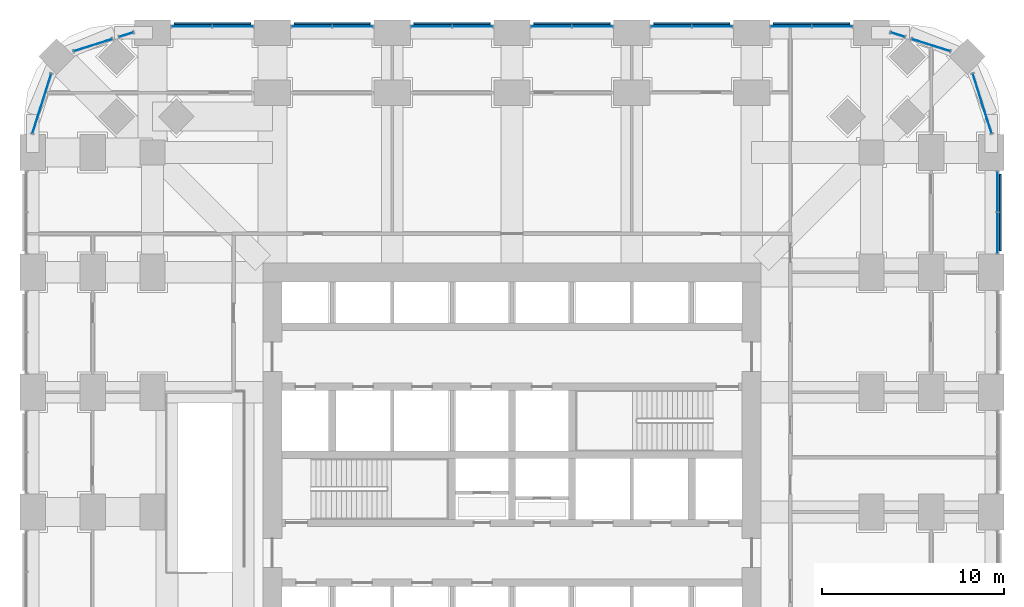
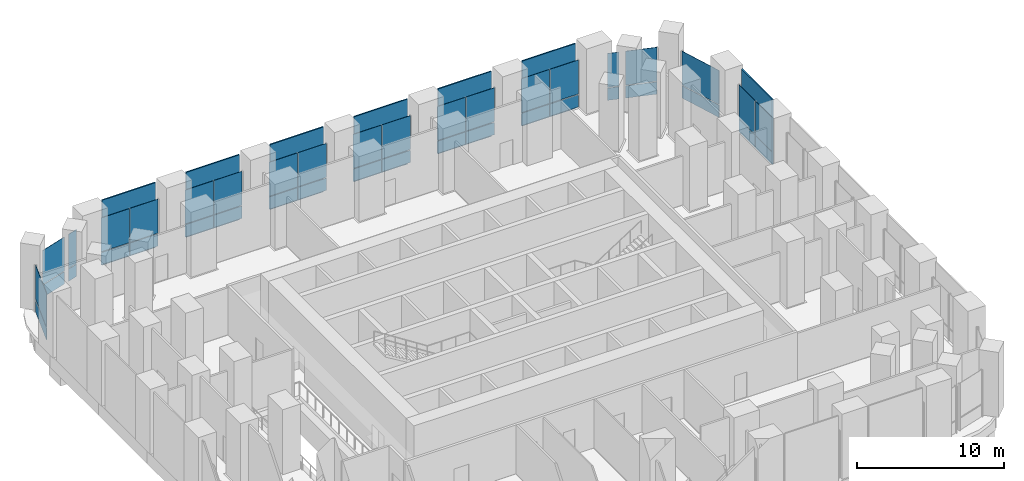
# One storey, part 10 of 17: 47 plates, 13 elements without a shape of their own.
"""IFC4 building model written with IfcOpenShell, lengths in metres."""

from ifc_helpers import new_model, si_unit, direction, frame, origin, origin_2d, place, context, subcontext, project, spatial, rectangle, extrude, material, layer, layer_set, type_object, element, aggregate, save


model = new_model("IFC4")

# Units and contexts
model_context = context("Model", 3, precision=1e-05, world=origin(), true_north=direction((0.0, 1.0)))
body_context = subcontext(model_context, "Body", "Model", "MODEL_VIEW")
ifc_project = project(units=[si_unit("LENGTHUNIT", "METRE"), si_unit("AREAUNIT", "SQUARE_METRE"), si_unit("VOLUMEUNIT", "CUBIC_METRE"), si_unit("PLANEANGLEUNIT", "RADIAN"), si_unit("MASSUNIT", "GRAM", prefix="KILO")], contexts=[model_context])

# Site, building, storey
site_placement = place(None, origin())
site = spatial("IfcSite", under=ifc_project, at=site_placement, CompositionType="ELEMENT")
building_placement = place(site_placement, origin())
building = spatial("IfcBuilding", under=site, at=building_placement, Name="Cobogo Forest Laboratory Tower", CompositionType="ELEMENT")
storey_placement = place(building_placement, frame((0.0, 0.0, 7.199951171875)))
storey = spatial("IfcBuildingStorey", under=building, at=storey_placement, Name="L01", CompositionType="ELEMENT", Elevation=7.199951171875)

# Plates
ifc_material_1 = material(Name="Pierced concrete block", Category="concrete")
ifc_layer_1 = layer(ifc_material_1, 0.10009765625)
ifc_layer_set_1 = layer_set([ifc_layer_1], Name="CO1 cobogo block screen 100")
plate_type_1 = type_object("IfcPlateType", Name="CO1 cobogo block screen 100", PredefinedType="USERDEFINED", material=ifc_layer_set_1)
for number, where, z_axis, x_axis, name in (
    (1, (53.300048828125, 36.300048828125, -0.14990234375), (0.0, 0.0, 1.0), (0.0, 1.0, 0.0), "Cobogo screen E5 L01"),
    (2, (9.89990234375, 46.699951171875, -0.14990234375), (0.0, 0.0, 1.0), (1.0, 0.0, 0.0), "Cobogo screen N1 L01"),
    (3, (16.5, 46.699951171875, -0.14990234375), (0.0, 0.0, 1.0), (1.0, 0.0, 0.0), "Cobogo screen N2 L01"),
    (4, (23.10009765625, 46.699951171875, -0.14990234375), (0.0, 0.0, 1.0), (1.0, 0.0, 0.0), "Cobogo screen N3 L01"),
    (5, (29.699951171875, 46.699951171875, -0.14990234375), (0.0, 0.0, 1.0), (1.0, 0.0, 0.0), "Cobogo screen N4 L01"),
    (6, (36.300048828125, 46.699951171875, -0.14990234375), (0.0, 0.0, 1.0), (1.0, 0.0, 0.0), "Cobogo screen N5 L01"),
    (7, (42.89990234375, 46.699951171875, -0.14990234375), (0.0, 0.0, 1.0), (1.0, 0.0, 0.0), "Cobogo screen N6 L01"),
):
    element("IfcPlate", number, at=place(storey_placement, frame(where, z_axis=z_axis, x_axis=x_axis)), inside=storey, type_object=plate_type_1, Name=name, ObjectType="COBOGO SCREEN", PredefinedType="USERDEFINED", context=body_context, shape_type="SweptSolid", body=[
        extrude(rectangle(XDim=4.199951171875, YDim=0.10009765625, at=origin_2d()), origin(), (0.0, 0.0, 1.0), 5.39990234375),
    ])

# Curtain wall, plates
ifc_material_2 = material(Name="Aluminium curtain wall", Category="aluminium")
curtain_wall_type = type_object("IfcCurtainWallType", Name="CW-K stick curtain wall, podium laboratories", PredefinedType="USERDEFINED", material=ifc_material_2)
curtain_wall_1_placement = place(storey_placement, origin())
curtain_wall_1 = element("IfcCurtainWall", 8, at=curtain_wall_1_placement, inside=storey, type_object=curtain_wall_type, Name="Curtain wall 14 L01", ObjectType="STICK CURTAIN WALL", PredefinedType="USERDEFINED")
ifc_material_3 = material(Name="Clear insulated glass", Category="glass")
ifc_layer_2 = layer(ifc_material_3, 0.028076171875)
ifc_layer_set_2 = layer_set([ifc_layer_2], Name="GP-1 clear insulated glass unit 28")
plate_type_2 = type_object("IfcPlateType", Name="GP-1 clear insulated glass unit 28", PredefinedType="CURTAIN_PANEL", material=ifc_layer_set_2)
plate_1_placement = place(storey_placement, frame((53.14990234375, 35.1650390625, 0.0), z_axis=(0.0, 0.0, 1.0), x_axis=(0.0, 1.0, 0.0)))
plate_1 = element("IfcPlate", 9, at=plate_1_placement, type_object=plate_type_2, Name="CW-K panel 1.1", PredefinedType="CURTAIN_PANEL", context=body_context, shape_type="SweptSolid", body=[
    extrude(rectangle(XDim=2.2099609375, YDim=0.028076171875, at=origin_2d()), origin(), (0.0, 0.0, 1.0), 1.02001953125),
])
plate_2_placement = place(storey_placement, frame((53.14990234375, 35.1650390625, 1.080078125), z_axis=(0.0, 0.0, 1.0), x_axis=(0.0, 1.0, 0.0)))
plate_2 = element("IfcPlate", 10, at=plate_2_placement, type_object=plate_type_2, Name="CW-K panel 1.2", PredefinedType="CURTAIN_PANEL", context=body_context, shape_type="SweptSolid", body=[
    extrude(rectangle(XDim=2.2099609375, YDim=0.028076171875, at=origin_2d()), origin(), (0.0, 0.0, 1.0), 2.820068359375),
])
plate_3_placement = place(storey_placement, frame((53.14990234375, 37.43505859375, 0.0), z_axis=(0.0, 0.0, 1.0), x_axis=(0.0, 1.0, 0.0)))
plate_3 = element("IfcPlate", 11, at=plate_3_placement, type_object=plate_type_2, Name="CW-K panel 2.1", PredefinedType="CURTAIN_PANEL", context=body_context, shape_type="SweptSolid", body=[
    extrude(rectangle(XDim=2.2099609375, YDim=0.028076171875, at=origin_2d()), origin(), (0.0, 0.0, 1.0), 1.02001953125),
])
plate_4_placement = place(storey_placement, frame((53.14990234375, 37.43505859375, 1.080078125), z_axis=(0.0, 0.0, 1.0), x_axis=(0.0, 1.0, 0.0)))
plate_4 = element("IfcPlate", 12, at=plate_4_placement, type_object=plate_type_2, Name="CW-K panel 2.2", PredefinedType="CURTAIN_PANEL", context=body_context, shape_type="SweptSolid", body=[
    extrude(rectangle(XDim=2.2099609375, YDim=0.028076171875, at=origin_2d()), origin(), (0.0, 0.0, 1.0), 2.820068359375),
])
aggregate(curtain_wall_1, [plate_1, plate_2, plate_3, plate_4])

curtain_wall_2_placement = place(storey_placement, origin())
curtain_wall_2 = element("IfcCurtainWall", 13, at=curtain_wall_2_placement, inside=storey, type_object=curtain_wall_type, Name="Curtain wall 15 L01", ObjectType="STICK CURTAIN WALL", PredefinedType="USERDEFINED")
plate_5_placement = place(storey_placement, frame((52.299072265625, 42.294921875, 0.0), z_axis=(0.0, 0.0, 1.0), x_axis=(-0.301135433696, 0.953581381201, 0.0)))
plate_5 = element("IfcPlate", 14, at=plate_5_placement, type_object=plate_type_2, Name="CW-K panel 1.1", PredefinedType="CURTAIN_PANEL", context=body_context, shape_type="SweptSolid", body=[
    extrude(rectangle(XDim=3.434814453125, YDim=0.028076171875, at=origin_2d()), origin(), (0.0, 0.0, 1.0), 1.02001953125),
])
plate_6_placement = place(storey_placement, frame((52.299072265625, 42.294921875, 1.080078125), z_axis=(0.0, 0.0, 1.0), x_axis=(-0.301135433696, 0.953581381201, 0.0)))
plate_6 = element("IfcPlate", 15, at=plate_6_placement, type_object=plate_type_2, Name="CW-K panel 1.2", PredefinedType="CURTAIN_PANEL", context=body_context, shape_type="SweptSolid", body=[
    extrude(rectangle(XDim=3.434814453125, YDim=0.028076171875, at=origin_2d()), origin(), (0.0, 0.0, 1.0), 2.820068359375),
])
aggregate(curtain_wall_2, [plate_5, plate_6])

curtain_wall_3_placement = place(storey_placement, origin())
curtain_wall_3 = element("IfcCurtainWall", 16, at=curtain_wall_3_placement, inside=storey, type_object=curtain_wall_type, Name="Curtain wall 16 L01", ObjectType="STICK CURTAIN WALL", PredefinedType="USERDEFINED")
plate_7_placement = place(storey_placement, frame((49.482177734375, 45.513427734375, 0.0), z_axis=(0.0, 0.0, 1.0), x_axis=(-0.953581409645, 0.301135343623, 0.0)))
plate_7 = element("IfcPlate", 17, at=plate_7_placement, type_object=plate_type_2, Name="CW-K panel 1.1", PredefinedType="CURTAIN_PANEL", context=body_context, shape_type="SweptSolid", body=[
    extrude(rectangle(XDim=2.203369140625, YDim=0.028076171875, at=origin_2d()), origin(), (0.0, 0.0, 1.0), 1.02001953125),
])
plate_8_placement = place(storey_placement, frame((49.482177734375, 45.513427734375, 1.080078125), z_axis=(0.0, 0.0, 1.0), x_axis=(-0.953581409645, 0.301135343623, 0.0)))
plate_8 = element("IfcPlate", 18, at=plate_8_placement, type_object=plate_type_2, Name="CW-K panel 1.2", PredefinedType="CURTAIN_PANEL", context=body_context, shape_type="SweptSolid", body=[
    extrude(rectangle(XDim=2.203369140625, YDim=0.028076171875, at=origin_2d()), origin(), (0.0, 0.0, 1.0), 2.820068359375),
])
aggregate(curtain_wall_3, [plate_7, plate_8])

curtain_wall_4_placement = place(storey_placement, origin())
curtain_wall_4 = element("IfcCurtainWall", 19, at=curtain_wall_4_placement, inside=storey, type_object=curtain_wall_type, Name="Curtain wall 17 L01", ObjectType="STICK CURTAIN WALL", PredefinedType="USERDEFINED")
plate_9_placement = place(storey_placement, frame((47.640869140625, 46.094970703125, 0.0), z_axis=(0.0, 0.0, 1.0), x_axis=(-0.953581406818, 0.301135352577, 0.0)))
plate_9 = element("IfcPlate", 20, at=plate_9_placement, type_object=plate_type_2, Name="CW-K panel 1.1", PredefinedType="CURTAIN_PANEL", context=body_context, shape_type="SweptSolid", body=[
    extrude(rectangle(XDim=0.804931640625, YDim=0.028076171875, at=origin_2d()), origin(), (0.0, 0.0, 1.0), 1.02001953125),
])
plate_10_placement = place(storey_placement, frame((47.640869140625, 46.094970703125, 1.080078125), z_axis=(0.0, 0.0, 1.0), x_axis=(-0.953581406818, 0.301135352577, 0.0)))
plate_10 = element("IfcPlate", 21, at=plate_10_placement, type_object=plate_type_2, Name="CW-K panel 1.2", PredefinedType="CURTAIN_PANEL", context=body_context, shape_type="SweptSolid", body=[
    extrude(rectangle(XDim=0.804931640625, YDim=0.028076171875, at=origin_2d()), origin(), (0.0, 0.0, 1.0), 2.820068359375),
])
aggregate(curtain_wall_4, [plate_9, plate_10])

curtain_wall_5_placement = place(storey_placement, origin())
curtain_wall_5 = element("IfcCurtainWall", 22, at=curtain_wall_5_placement, inside=storey, type_object=curtain_wall_type, Name="Curtain wall 18 L01", ObjectType="STICK CURTAIN WALL", PredefinedType="USERDEFINED")
plate_11_placement = place(storey_placement, frame((44.034912109375, 46.550048828125, 0.0), z_axis=(0.0, 0.0, 1.0), x_axis=(-1.0, 0.0, 0.0)))
plate_11 = element("IfcPlate", 23, at=plate_11_placement, type_object=plate_type_2, Name="CW-K panel 1.1", PredefinedType="CURTAIN_PANEL", context=body_context, shape_type="SweptSolid", body=[
    extrude(rectangle(XDim=2.2099609375, YDim=0.028076171875, at=origin_2d()), origin(), (0.0, 0.0, 1.0), 1.02001953125),
])
plate_12_placement = place(storey_placement, frame((44.034912109375, 46.550048828125, 1.080078125), z_axis=(0.0, 0.0, 1.0), x_axis=(-1.0, 0.0, 0.0)))
plate_12 = element("IfcPlate", 24, at=plate_12_placement, type_object=plate_type_2, Name="CW-K panel 1.2", PredefinedType="CURTAIN_PANEL", context=body_context, shape_type="SweptSolid", body=[
    extrude(rectangle(XDim=2.2099609375, YDim=0.028076171875, at=origin_2d()), origin(), (0.0, 0.0, 1.0), 2.820068359375),
])
plate_13_placement = place(storey_placement, frame((41.764892578125, 46.550048828125, 0.0), z_axis=(0.0, 0.0, 1.0), x_axis=(-1.0, 0.0, 0.0)))
plate_13 = element("IfcPlate", 25, at=plate_13_placement, type_object=plate_type_2, Name="CW-K panel 2.1", PredefinedType="CURTAIN_PANEL", context=body_context, shape_type="SweptSolid", body=[
    extrude(rectangle(XDim=2.2099609375, YDim=0.028076171875, at=origin_2d()), origin(), (0.0, 0.0, 1.0), 1.02001953125),
])
plate_14_placement = place(storey_placement, frame((41.764892578125, 46.550048828125, 1.080078125), z_axis=(0.0, 0.0, 1.0), x_axis=(-1.0, 0.0, 0.0)))
plate_14 = element("IfcPlate", 26, at=plate_14_placement, type_object=plate_type_2, Name="CW-K panel 2.2", PredefinedType="CURTAIN_PANEL", context=body_context, shape_type="SweptSolid", body=[
    extrude(rectangle(XDim=2.2099609375, YDim=0.028076171875, at=origin_2d()), origin(), (0.0, 0.0, 1.0), 2.820068359375),
])
aggregate(curtain_wall_5, [plate_11, plate_12, plate_13, plate_14])

curtain_wall_6_placement = place(storey_placement, origin())
curtain_wall_6 = element("IfcCurtainWall", 27, at=curtain_wall_6_placement, inside=storey, type_object=curtain_wall_type, Name="Curtain wall 19 L01", ObjectType="STICK CURTAIN WALL", PredefinedType="USERDEFINED")
plate_15_placement = place(storey_placement, frame((37.43505859375, 46.550048828125, 0.0), z_axis=(0.0, 0.0, 1.0), x_axis=(-1.0, 0.0, 0.0)))
plate_15 = element("IfcPlate", 28, at=plate_15_placement, type_object=plate_type_2, Name="CW-K panel 1.1", PredefinedType="CURTAIN_PANEL", context=body_context, shape_type="SweptSolid", body=[
    extrude(rectangle(XDim=2.2099609375, YDim=0.028076171875, at=origin_2d()), origin(), (0.0, 0.0, 1.0), 1.02001953125),
])
plate_16_placement = place(storey_placement, frame((37.43505859375, 46.550048828125, 1.080078125), z_axis=(0.0, 0.0, 1.0), x_axis=(-1.0, 0.0, 0.0)))
plate_16 = element("IfcPlate", 29, at=plate_16_placement, type_object=plate_type_2, Name="CW-K panel 1.2", PredefinedType="CURTAIN_PANEL", context=body_context, shape_type="SweptSolid", body=[
    extrude(rectangle(XDim=2.2099609375, YDim=0.028076171875, at=origin_2d()), origin(), (0.0, 0.0, 1.0), 2.820068359375),
])
plate_17_placement = place(storey_placement, frame((35.1650390625, 46.550048828125, 0.0), z_axis=(0.0, 0.0, 1.0), x_axis=(-1.0, 0.0, 0.0)))
plate_17 = element("IfcPlate", 30, at=plate_17_placement, type_object=plate_type_2, Name="CW-K panel 2.1", PredefinedType="CURTAIN_PANEL", context=body_context, shape_type="SweptSolid", body=[
    extrude(rectangle(XDim=2.2099609375, YDim=0.028076171875, at=origin_2d()), origin(), (0.0, 0.0, 1.0), 1.02001953125),
])
plate_18_placement = place(storey_placement, frame((35.1650390625, 46.550048828125, 1.080078125), z_axis=(0.0, 0.0, 1.0), x_axis=(-1.0, 0.0, 0.0)))
plate_18 = element("IfcPlate", 31, at=plate_18_placement, type_object=plate_type_2, Name="CW-K panel 2.2", PredefinedType="CURTAIN_PANEL", context=body_context, shape_type="SweptSolid", body=[
    extrude(rectangle(XDim=2.2099609375, YDim=0.028076171875, at=origin_2d()), origin(), (0.0, 0.0, 1.0), 2.820068359375),
])
aggregate(curtain_wall_6, [plate_15, plate_16, plate_17, plate_18])

curtain_wall_7_placement = place(storey_placement, origin())
curtain_wall_7 = element("IfcCurtainWall", 32, at=curtain_wall_7_placement, inside=storey, type_object=curtain_wall_type, Name="Curtain wall 20 L01", ObjectType="STICK CURTAIN WALL", PredefinedType="USERDEFINED")
plate_19_placement = place(storey_placement, frame((30.8349609375, 46.550048828125, 0.0), z_axis=(0.0, 0.0, 1.0), x_axis=(-1.0, 0.0, 0.0)))
plate_19 = element("IfcPlate", 33, at=plate_19_placement, type_object=plate_type_2, Name="CW-K panel 1.1", PredefinedType="CURTAIN_PANEL", context=body_context, shape_type="SweptSolid", body=[
    extrude(rectangle(XDim=2.2099609375, YDim=0.028076171875, at=origin_2d()), origin(), (0.0, 0.0, 1.0), 1.02001953125),
])
plate_20_placement = place(storey_placement, frame((30.8349609375, 46.550048828125, 1.080078125), z_axis=(0.0, 0.0, 1.0), x_axis=(-1.0, 0.0, 0.0)))
plate_20 = element("IfcPlate", 34, at=plate_20_placement, type_object=plate_type_2, Name="CW-K panel 1.2", PredefinedType="CURTAIN_PANEL", context=body_context, shape_type="SweptSolid", body=[
    extrude(rectangle(XDim=2.2099609375, YDim=0.028076171875, at=origin_2d()), origin(), (0.0, 0.0, 1.0), 2.820068359375),
])
plate_21_placement = place(storey_placement, frame((28.56494140625, 46.550048828125, 0.0), z_axis=(0.0, 0.0, 1.0), x_axis=(-1.0, 0.0, 0.0)))
plate_21 = element("IfcPlate", 35, at=plate_21_placement, type_object=plate_type_2, Name="CW-K panel 2.1", PredefinedType="CURTAIN_PANEL", context=body_context, shape_type="SweptSolid", body=[
    extrude(rectangle(XDim=2.2099609375, YDim=0.028076171875, at=origin_2d()), origin(), (0.0, 0.0, 1.0), 1.02001953125),
])
plate_22_placement = place(storey_placement, frame((28.56494140625, 46.550048828125, 1.080078125), z_axis=(0.0, 0.0, 1.0), x_axis=(-1.0, 0.0, 0.0)))
plate_22 = element("IfcPlate", 36, at=plate_22_placement, type_object=plate_type_2, Name="CW-K panel 2.2", PredefinedType="CURTAIN_PANEL", context=body_context, shape_type="SweptSolid", body=[
    extrude(rectangle(XDim=2.2099609375, YDim=0.028076171875, at=origin_2d()), origin(), (0.0, 0.0, 1.0), 2.820068359375),
])
aggregate(curtain_wall_7, [plate_19, plate_20, plate_21, plate_22])

curtain_wall_8_placement = place(storey_placement, origin())
curtain_wall_8 = element("IfcCurtainWall", 37, at=curtain_wall_8_placement, inside=storey, type_object=curtain_wall_type, Name="Curtain wall 21 L01", ObjectType="STICK CURTAIN WALL", PredefinedType="USERDEFINED")
plate_23_placement = place(storey_placement, frame((24.235107421875, 46.550048828125, 0.0), z_axis=(0.0, 0.0, 1.0), x_axis=(-1.0, 0.0, 0.0)))
plate_23 = element("IfcPlate", 38, at=plate_23_placement, type_object=plate_type_2, Name="CW-K panel 1.1", PredefinedType="CURTAIN_PANEL", context=body_context, shape_type="SweptSolid", body=[
    extrude(rectangle(XDim=2.2099609375, YDim=0.028076171875, at=origin_2d()), origin(), (0.0, 0.0, 1.0), 1.02001953125),
])
plate_24_placement = place(storey_placement, frame((24.235107421875, 46.550048828125, 1.080078125), z_axis=(0.0, 0.0, 1.0), x_axis=(-1.0, 0.0, 0.0)))
plate_24 = element("IfcPlate", 39, at=plate_24_placement, type_object=plate_type_2, Name="CW-K panel 1.2", PredefinedType="CURTAIN_PANEL", context=body_context, shape_type="SweptSolid", body=[
    extrude(rectangle(XDim=2.2099609375, YDim=0.028076171875, at=origin_2d()), origin(), (0.0, 0.0, 1.0), 2.820068359375),
])
plate_25_placement = place(storey_placement, frame((21.965087890625, 46.550048828125, 0.0), z_axis=(0.0, 0.0, 1.0), x_axis=(-1.0, 0.0, 0.0)))
plate_25 = element("IfcPlate", 40, at=plate_25_placement, type_object=plate_type_2, Name="CW-K panel 2.1", PredefinedType="CURTAIN_PANEL", context=body_context, shape_type="SweptSolid", body=[
    extrude(rectangle(XDim=2.2099609375, YDim=0.028076171875, at=origin_2d()), origin(), (0.0, 0.0, 1.0), 1.02001953125),
])
plate_26_placement = place(storey_placement, frame((21.965087890625, 46.550048828125, 1.080078125), z_axis=(0.0, 0.0, 1.0), x_axis=(-1.0, 0.0, 0.0)))
plate_26 = element("IfcPlate", 41, at=plate_26_placement, type_object=plate_type_2, Name="CW-K panel 2.2", PredefinedType="CURTAIN_PANEL", context=body_context, shape_type="SweptSolid", body=[
    extrude(rectangle(XDim=2.2099609375, YDim=0.028076171875, at=origin_2d()), origin(), (0.0, 0.0, 1.0), 2.820068359375),
])
aggregate(curtain_wall_8, [plate_23, plate_24, plate_25, plate_26])

curtain_wall_9_placement = place(storey_placement, origin())
curtain_wall_9 = element("IfcCurtainWall", 42, at=curtain_wall_9_placement, inside=storey, type_object=curtain_wall_type, Name="Curtain wall 22 L01", ObjectType="STICK CURTAIN WALL", PredefinedType="USERDEFINED")
plate_27_placement = place(storey_placement, frame((17.635009765625, 46.550048828125, 0.0), z_axis=(0.0, 0.0, 1.0), x_axis=(-1.0, 0.0, 0.0)))
plate_27 = element("IfcPlate", 43, at=plate_27_placement, type_object=plate_type_2, Name="CW-K panel 1.1", PredefinedType="CURTAIN_PANEL", context=body_context, shape_type="SweptSolid", body=[
    extrude(rectangle(XDim=2.2099609375, YDim=0.028076171875, at=origin_2d()), origin(), (0.0, 0.0, 1.0), 1.02001953125),
])
plate_28_placement = place(storey_placement, frame((17.635009765625, 46.550048828125, 1.080078125), z_axis=(0.0, 0.0, 1.0), x_axis=(-1.0, 0.0, 0.0)))
plate_28 = element("IfcPlate", 44, at=plate_28_placement, type_object=plate_type_2, Name="CW-K panel 1.2", PredefinedType="CURTAIN_PANEL", context=body_context, shape_type="SweptSolid", body=[
    extrude(rectangle(XDim=2.2099609375, YDim=0.028076171875, at=origin_2d()), origin(), (0.0, 0.0, 1.0), 2.820068359375),
])
plate_29_placement = place(storey_placement, frame((15.364990234375, 46.550048828125, 0.0), z_axis=(0.0, 0.0, 1.0), x_axis=(-1.0, 0.0, 0.0)))
plate_29 = element("IfcPlate", 45, at=plate_29_placement, type_object=plate_type_2, Name="CW-K panel 2.1", PredefinedType="CURTAIN_PANEL", context=body_context, shape_type="SweptSolid", body=[
    extrude(rectangle(XDim=2.2099609375, YDim=0.028076171875, at=origin_2d()), origin(), (0.0, 0.0, 1.0), 1.02001953125),
])
plate_30_placement = place(storey_placement, frame((15.364990234375, 46.550048828125, 1.080078125), z_axis=(0.0, 0.0, 1.0), x_axis=(-1.0, 0.0, 0.0)))
plate_30 = element("IfcPlate", 46, at=plate_30_placement, type_object=plate_type_2, Name="CW-K panel 2.2", PredefinedType="CURTAIN_PANEL", context=body_context, shape_type="SweptSolid", body=[
    extrude(rectangle(XDim=2.2099609375, YDim=0.028076171875, at=origin_2d()), origin(), (0.0, 0.0, 1.0), 2.820068359375),
])
aggregate(curtain_wall_9, [plate_27, plate_28, plate_29, plate_30])

curtain_wall_10_placement = place(storey_placement, origin())
curtain_wall_10 = element("IfcCurtainWall", 47, at=curtain_wall_10_placement, inside=storey, type_object=curtain_wall_type, Name="Curtain wall 23 L01", ObjectType="STICK CURTAIN WALL", PredefinedType="USERDEFINED")
plate_31_placement = place(storey_placement, frame((11.034912109375, 46.550048828125, 0.0), z_axis=(0.0, 0.0, 1.0), x_axis=(-1.0, 0.0, 0.0)))
plate_31 = element("IfcPlate", 48, at=plate_31_placement, type_object=plate_type_2, Name="CW-K panel 1.1", PredefinedType="CURTAIN_PANEL", context=body_context, shape_type="SweptSolid", body=[
    extrude(rectangle(XDim=2.2099609375, YDim=0.028076171875, at=origin_2d()), origin(), (0.0, 0.0, 1.0), 1.02001953125),
])
plate_32_placement = place(storey_placement, frame((11.034912109375, 46.550048828125, 1.080078125), z_axis=(0.0, 0.0, 1.0), x_axis=(-1.0, 0.0, 0.0)))
plate_32 = element("IfcPlate", 49, at=plate_32_placement, type_object=plate_type_2, Name="CW-K panel 1.2", PredefinedType="CURTAIN_PANEL", context=body_context, shape_type="SweptSolid", body=[
    extrude(rectangle(XDim=2.2099609375, YDim=0.028076171875, at=origin_2d()), origin(), (0.0, 0.0, 1.0), 2.820068359375),
])
plate_33_placement = place(storey_placement, frame((8.764892578125, 46.550048828125, 0.0), z_axis=(0.0, 0.0, 1.0), x_axis=(-1.0, 0.0, 0.0)))
plate_33 = element("IfcPlate", 50, at=plate_33_placement, type_object=plate_type_2, Name="CW-K panel 2.1", PredefinedType="CURTAIN_PANEL", context=body_context, shape_type="SweptSolid", body=[
    extrude(rectangle(XDim=2.2099609375, YDim=0.028076171875, at=origin_2d()), origin(), (0.0, 0.0, 1.0), 1.02001953125),
])
plate_34_placement = place(storey_placement, frame((8.764892578125, 46.550048828125, 1.080078125), z_axis=(0.0, 0.0, 1.0), x_axis=(-1.0, 0.0, 0.0)))
plate_34 = element("IfcPlate", 51, at=plate_34_placement, type_object=plate_type_2, Name="CW-K panel 2.2", PredefinedType="CURTAIN_PANEL", context=body_context, shape_type="SweptSolid", body=[
    extrude(rectangle(XDim=2.2099609375, YDim=0.028076171875, at=origin_2d()), origin(), (0.0, 0.0, 1.0), 2.820068359375),
])
aggregate(curtain_wall_10, [plate_31, plate_32, plate_33, plate_34])

curtain_wall_11_placement = place(storey_placement, origin())
curtain_wall_11 = element("IfcCurtainWall", 52, at=curtain_wall_11_placement, inside=storey, type_object=curtain_wall_type, Name="Curtain wall 24 L01", ObjectType="STICK CURTAIN WALL", PredefinedType="USERDEFINED")
plate_35_placement = place(storey_placement, frame((5.158935546875, 46.094970703125, 0.0), z_axis=(0.0, 0.0, 1.0), x_axis=(-0.953581406818, -0.301135352577, 0.0)))
plate_35 = element("IfcPlate", 53, at=plate_35_placement, type_object=plate_type_2, Name="CW-K panel 1.1", PredefinedType="CURTAIN_PANEL", context=body_context, shape_type="SweptSolid", body=[
    extrude(rectangle(XDim=0.804931640625, YDim=0.028076171875, at=origin_2d()), origin(), (0.0, 0.0, 1.0), 1.02001953125),
])
plate_36_placement = place(storey_placement, frame((5.158935546875, 46.094970703125, 1.080078125), z_axis=(0.0, 0.0, 1.0), x_axis=(-0.953581406818, -0.301135352577, 0.0)))
plate_36 = element("IfcPlate", 54, at=plate_36_placement, type_object=plate_type_2, Name="CW-K panel 1.2", PredefinedType="CURTAIN_PANEL", context=body_context, shape_type="SweptSolid", body=[
    extrude(rectangle(XDim=0.804931640625, YDim=0.028076171875, at=origin_2d()), origin(), (0.0, 0.0, 1.0), 2.820068359375),
])
aggregate(curtain_wall_11, [plate_35, plate_36])

curtain_wall_12_placement = place(storey_placement, origin())
curtain_wall_12 = element("IfcCurtainWall", 55, at=curtain_wall_12_placement, inside=storey, type_object=curtain_wall_type, Name="Curtain wall 25 L01", ObjectType="STICK CURTAIN WALL", PredefinedType="USERDEFINED")
plate_37_placement = place(storey_placement, frame((3.31787109375, 45.513427734375, 0.0), z_axis=(0.0, 0.0, 1.0), x_axis=(-0.953581409645, -0.301135343623, 0.0)))
plate_37 = element("IfcPlate", 56, at=plate_37_placement, type_object=plate_type_2, Name="CW-K panel 1.1", PredefinedType="CURTAIN_PANEL", context=body_context, shape_type="SweptSolid", body=[
    extrude(rectangle(XDim=2.203369140625, YDim=0.028076171875, at=origin_2d()), origin(), (0.0, 0.0, 1.0), 1.02001953125),
])
plate_38_placement = place(storey_placement, frame((3.31787109375, 45.513427734375, 1.080078125), z_axis=(0.0, 0.0, 1.0), x_axis=(-0.953581409645, -0.301135343623, 0.0)))
plate_38 = element("IfcPlate", 57, at=plate_38_placement, type_object=plate_type_2, Name="CW-K panel 1.2", PredefinedType="CURTAIN_PANEL", context=body_context, shape_type="SweptSolid", body=[
    extrude(rectangle(XDim=2.203369140625, YDim=0.028076171875, at=origin_2d()), origin(), (0.0, 0.0, 1.0), 2.820068359375),
])
aggregate(curtain_wall_12, [plate_37, plate_38])

curtain_wall_13_placement = place(storey_placement, origin())
curtain_wall_13 = element("IfcCurtainWall", 58, at=curtain_wall_13_placement, inside=storey, type_object=curtain_wall_type, Name="Curtain wall 26 L01", ObjectType="STICK CURTAIN WALL", PredefinedType="USERDEFINED")
plate_39_placement = place(storey_placement, frame((0.5009765625, 42.294921875, 0.0), z_axis=(0.0, 0.0, 1.0), x_axis=(-0.301135433696, -0.953581381201, 0.0)))
plate_39 = element("IfcPlate", 59, at=plate_39_placement, type_object=plate_type_2, Name="CW-K panel 1.1", PredefinedType="CURTAIN_PANEL", context=body_context, shape_type="SweptSolid", body=[
    extrude(rectangle(XDim=3.434814453125, YDim=0.028076171875, at=origin_2d()), origin(), (0.0, 0.0, 1.0), 1.02001953125),
])
plate_40_placement = place(storey_placement, frame((0.5009765625, 42.294921875, 1.080078125), z_axis=(0.0, 0.0, 1.0), x_axis=(-0.301135433696, -0.953581381201, 0.0)))
plate_40 = element("IfcPlate", 60, at=plate_40_placement, type_object=plate_type_2, Name="CW-K panel 1.2", PredefinedType="CURTAIN_PANEL", context=body_context, shape_type="SweptSolid", body=[
    extrude(rectangle(XDim=3.434814453125, YDim=0.028076171875, at=origin_2d()), origin(), (0.0, 0.0, 1.0), 2.820068359375),
])
aggregate(curtain_wall_13, [plate_39, plate_40])

save(model, "model.ifc")
